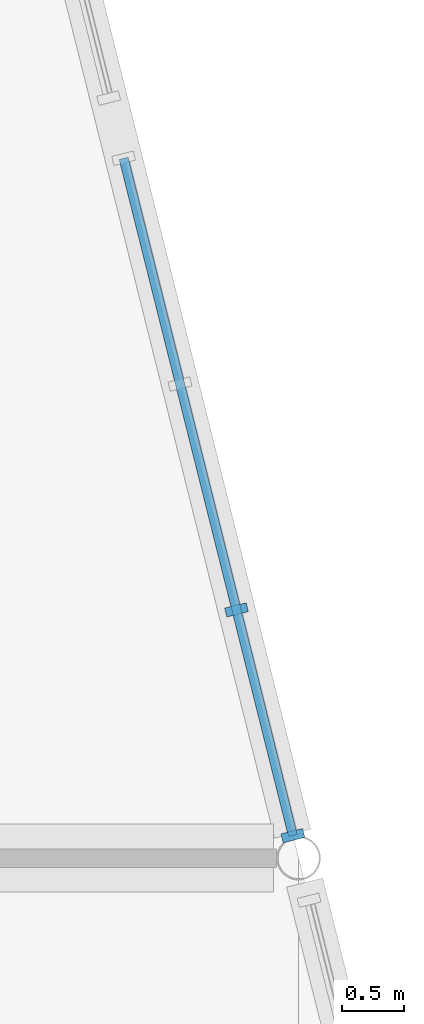
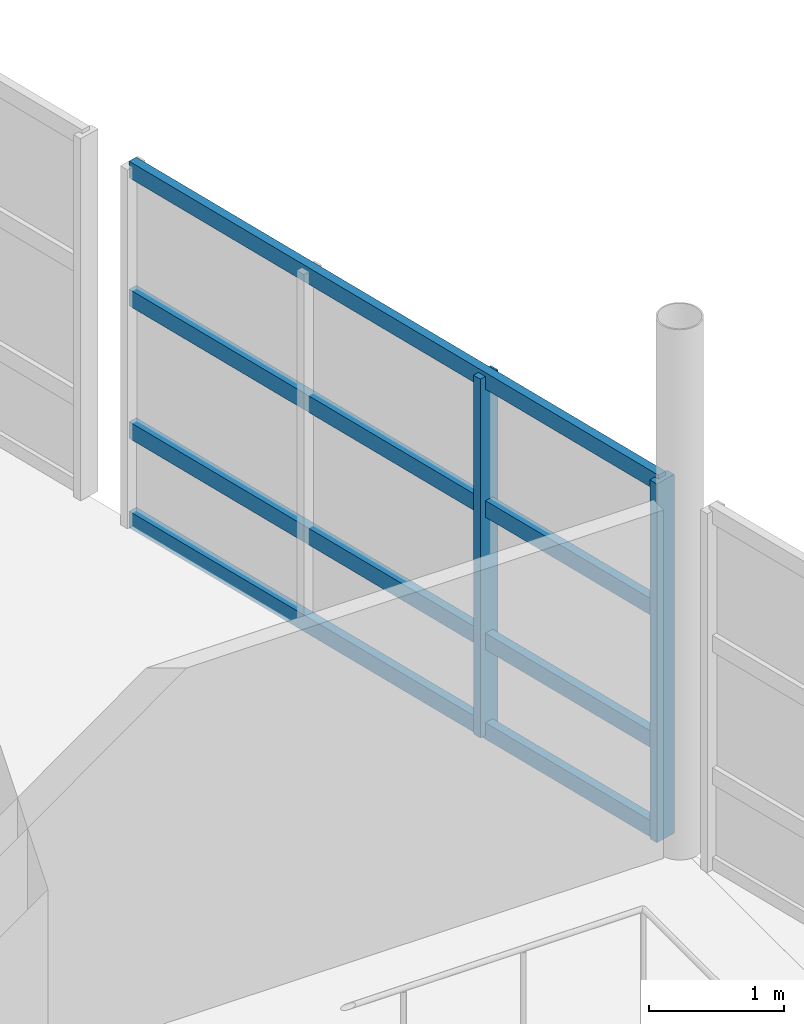
# One storey, part 39 of 112: 6 members, 1 element without a shape of its own.
"""IFC4 building model written with IfcOpenShell, lengths in metres."""

import ifcopenshell
import ifcopenshell.guid

model = None  # the IFC model being written
_history = None  # IfcOwnerHistory: only IFC2X3 demands one
_inside = {}  # id of a spatial element -> (the spatial element, [elements in it])
_under = {}  # id of a project, library or spatial element -> (it, [spatial elements below it])
_declared = {}  # id of a project -> (the project, [libraries it declares])
_typed = {}  # id of a type object -> (the type object, [elements of that type])
_made_of = {}  # id of a material, layer set ... -> (it, [elements and type objects made of it])


def new_model(schema):
    """Start an empty IFC model of exactly this schema.

    Asked for "IFC4X3", IfcOpenShell would pick the latest addendum, in which some entities
    have other attributes; the version numbers below select the first issue.
    IFC2X3 requires an IfcOwnerHistory on every rooted entity: one is made here for all.
    """
    global model, _history
    if schema == "IFC4X3":
        model = ifcopenshell.file(schema_version=(4, 3, 0, 0))
    else:
        model = ifcopenshell.file(schema=schema)
    _inside.clear()
    _under.clear()
    _declared.clear()
    _typed.clear()
    _made_of.clear()
    _history = None
    if model.schema == "IFC2X3":
        org = make("IfcOrganization", Name="unknown")
        user = make(
            "IfcPersonAndOrganization",
            ThePerson=make("IfcPerson", FamilyName="unknown"),
            TheOrganization=org,
        )
        app = make(
            "IfcApplication",
            ApplicationDeveloper=org,
            Version="unknown",
            ApplicationFullName="unknown",
            ApplicationIdentifier="unknown",
        )
        _history = make(
            "IfcOwnerHistory",
            OwningUser=user,
            OwningApplication=app,
            ChangeAction="ADDED",
            CreationDate=0,
        )
    return model


def make(cls, **values):
    """One entity of the class cls with the attributes given. An attribute that is None is left unset."""
    return model.create_entity(
        cls, **{name: value for name, value in values.items() if value is not None}
    )


def rooted(cls, **values):
    """An entity with a GlobalId (a new one), such as an element, a storey or a relation."""
    return make(cls, GlobalId=ifcopenshell.guid.new(), OwnerHistory=_history, **values)


def si_unit(unit_type, name, prefix=None):
    """IfcSIUnit, for example si_unit("LENGTHUNIT", "METRE", prefix="MILLI")."""
    return make("IfcSIUnit", UnitType=unit_type, Prefix=prefix, Name=name)


def assignment(units):
    """IfcUnitAssignment: the units of a project."""
    return None if units is None else make("IfcUnitAssignment", Units=units)


def point(xyz):
    """IfcCartesianPoint."""
    return None if xyz is None else make("IfcCartesianPoint", Coordinates=xyz)


def direction(xyz):
    """IfcDirection."""
    return None if xyz is None else make("IfcDirection", DirectionRatios=xyz)


def frame(location, z_axis=None, x_axis=None):
    """IfcAxis2Placement3D, a coordinate frame: its origin and axes. An axis left out is left unset."""
    return make(
        "IfcAxis2Placement3D",
        Location=point(location),
        Axis=direction(z_axis),
        RefDirection=direction(x_axis),
    )


def frame_2d(location, x_axis=None):
    """IfcAxis2Placement2D, a coordinate frame in the plane: its origin and x axis."""
    return make(
        "IfcAxis2Placement2D", Location=point(location), RefDirection=direction(x_axis)
    )


def origin():
    """The frame at (0, 0, 0) with its axes left unset."""
    return frame((0.0, 0.0, 0.0))


def origin_2d():
    """The frame at (0, 0) in the plane with its x axis left unset."""
    return frame_2d((0.0, 0.0))


def place(relative_to, where):
    """IfcLocalPlacement: puts the frame where relative to a parent placement (None: the world)."""
    return make(
        "IfcLocalPlacement", PlacementRelTo=relative_to, RelativePlacement=where
    )


def context(
    kind, dimensions, precision=None, world=None, true_north=None, identifier=None
):
    """IfcGeometricRepresentationContext, for example the 3D "Model" context."""
    return make(
        "IfcGeometricRepresentationContext",
        ContextIdentifier=identifier,
        ContextType=kind,
        CoordinateSpaceDimension=dimensions,
        Precision=precision,
        WorldCoordinateSystem=world,
        TrueNorth=true_north,
    )


def subcontext(parent, identifier, kind, view, scale=None):
    """IfcGeometricRepresentationSubContext, for example "Body" below "Model"."""
    return make(
        "IfcGeometricRepresentationSubContext",
        ContextIdentifier=identifier,
        ContextType=kind,
        ParentContext=parent,
        TargetScale=scale,
        TargetView=view,
    )


def project(units=None, contexts=None):
    """IfcProject with its units and contexts."""
    return rooted(
        "IfcProject",
        Name="project",
        RepresentationContexts=contexts,
        UnitsInContext=assignment(units),
    )


def spatial(cls, under=None, at=None, **own):
    """A site, building, storey or space (cls), placed at a placement, below another one or the project."""
    s = rooted(cls, ObjectPlacement=at, **own)
    if under is not None:
        _under.setdefault(under.id(), (under, []))[1].append(s)
    return s


def profile(cls, at=None, kind="AREA", **sizes):
    """A parametric profile (cls). Its sizes go by their IFC names, for example OverallWidth=200.0."""
    return make(cls, ProfileType=kind, Position=at, **sizes)


def rectangle(**sizes):
    """IfcRectangleProfileDef."""
    return profile("IfcRectangleProfileDef", **sizes)


def extrude(swept, where, along, depth):
    """IfcExtrudedAreaSolid: the profile swept, set in the frame where, extruded along a direction by depth."""
    return make(
        "IfcExtrudedAreaSolid",
        SweptArea=swept,
        Position=where,
        ExtrudedDirection=direction(along),
        Depth=depth,
    )


def shape(context_of_items, identifier, shape_type, items):
    """IfcShapeRepresentation: the items that make up one representation, for example the "Body"."""
    return make(
        "IfcShapeRepresentation",
        ContextOfItems=context_of_items,
        RepresentationIdentifier=identifier,
        RepresentationType=shape_type,
        Items=items,
    )


def material(Name=None, Category=None):
    """IfcMaterial."""
    return make("IfcMaterial", Name=Name, Category=Category)


def material_profile(
    of_material, cross_section, Name=None, Category=None, Priority=None
):
    """IfcMaterialProfile: a cross section and its material."""
    return make(
        "IfcMaterialProfile",
        Name=Name,
        Material=of_material,
        Profile=cross_section,
        Priority=Priority,
        Category=Category,
    )


def profile_set(profiles, Name=None, composite=None):
    """IfcMaterialProfileSet."""
    return make(
        "IfcMaterialProfileSet",
        Name=Name,
        MaterialProfiles=profiles,
        CompositeProfile=composite,
    )


def made_of(thing, what):
    """Note that an element or type object is made of a material, layer set ...; save() writes the relation."""
    if what is not None:
        _made_of.setdefault(what.id(), (what, []))[1].append(thing)
    return thing


def type_object(cls, material=None, **own):
    """A type object (cls), such as IfcWallType, which elements share."""
    return made_of(rooted(cls, **own), material)


def element(
    cls,
    number,
    at=None,
    inside=None,
    cuts=None,
    type_object=None,
    material=None,
    context=None,
    identifier="Body",
    shape_type=None,
    held_by="IfcProductDefinitionShape",
    body=None,
    shapes=None,
    **own,
):
    """One element of the class cls, such as IfcWall. Its Tag is "e" and its number.

    at: its placement. inside: the storey or other place that contains it. cuts: it is an
    opening in that element (IfcRelVoidsElement). A single representation is given by context,
    identifier, shape_type and body (its items); several are given by shapes. held_by: the class
    of the entity that holds the representations. save() writes the other relations.
    """
    e = rooted(cls, Tag="e%d" % number, ObjectPlacement=at, **own)
    if body is not None:
        shapes = [shape(context, identifier, shape_type, body)]
    if shapes is not None:
        e.Representation = make(held_by, Representations=shapes)
    if inside is not None:
        _inside.setdefault(inside.id(), (inside, []))[1].append(e)
    if cuts is not None:
        rooted(
            "IfcRelVoidsElement", RelatingBuildingElement=cuts, RelatedOpeningElement=e
        )
    if type_object is not None:
        _typed.setdefault(type_object.id(), (type_object, []))[1].append(e)
    return made_of(e, material)


def aggregate(whole, parts):
    """IfcRelAggregates: a whole, such as a stair, and the parts it consists of."""
    return rooted("IfcRelAggregates", RelatingObject=whole, RelatedObjects=parts)


def save(model, path):
    """Write the relations noted so far, then the file.

    IfcRelAggregates (storeys below a building ...), IfcRelContainedInSpatialStructure (elements
    in a storey), IfcRelDefinesByType, IfcRelAssociatesMaterial and IfcRelDeclares: one each for
    every whole, place, type object, material and project.
    """
    for whole, parts in _under.values():
        aggregate(whole, parts)
    for where, things in _inside.values():
        rooted(
            "IfcRelContainedInSpatialStructure",
            RelatedElements=things,
            RelatingStructure=where,
        )
    for kind, things in _typed.values():
        rooted("IfcRelDefinesByType", RelatedObjects=things, RelatingType=kind)
    for what, things in _made_of.values():
        rooted("IfcRelAssociatesMaterial", RelatedObjects=things, RelatingMaterial=what)
    for by, libraries in _declared.values():
        rooted("IfcRelDeclares", RelatingContext=by, RelatedDefinitions=libraries)
    model.write(path)


model = new_model("IFC4")

# Units and contexts
model_context = context("Model", 3, precision=1e-05, world=origin(), true_north=direction((0.0, 1.0)))
body_context = subcontext(model_context, "Body", "Model", "MODEL_VIEW")
ifc_project = project(units=[si_unit("LENGTHUNIT", "METRE"), si_unit("AREAUNIT", "SQUARE_METRE"), si_unit("VOLUMEUNIT", "CUBIC_METRE"), si_unit("PLANEANGLEUNIT", "RADIAN"), si_unit("MASSUNIT", "GRAM", prefix="KILO")], contexts=[model_context])

# Site, building, storey
site_placement = place(None, origin())
site = spatial("IfcSite", under=ifc_project, at=site_placement, CompositionType="ELEMENT")
building_placement = place(site_placement, origin())
building = spatial("IfcBuilding", under=site, at=building_placement, Name="Kamomehara Wholesale Market", CompositionType="ELEMENT")
storey_placement = place(building_placement, frame((0.0, 0.0, 6.60009765625)))
storey = spatial("IfcBuildingStorey", under=building, at=storey_placement, Name="L01", CompositionType="ELEMENT", Elevation=6.60009765625)

# Curtain wall, members
ifc_material_1 = material(Name="Anodised aluminium 6063-T5", Category="aluminium")
curtain_wall_type = type_object("IfcCurtainWallType", Name="CW-UN-09", PredefinedType="NOTDEFINED", material=ifc_material_1)
curtain_wall_placement = place(storey_placement, origin())
curtain_wall = element("IfcCurtainWall", 1, at=curtain_wall_placement, inside=storey, type_object=curtain_wall_type, Name="Unitised curtain wall CW-186", PredefinedType="NOTDEFINED")
ifc_material_2 = material(Name="Anodised aluminium 6063-T5", Category="aluminium")
ifc_material_profile_1 = material_profile(ifc_material_2, rectangle(XDim=0.074951171875, YDim=0.179931640625, at=origin_2d()), Name="ALU-MUL-75x180")
ifc_profile_set_1 = profile_set([ifc_material_profile_1], Name="Anodised aluminium 6063-T5")
member_type_1 = type_object("IfcMemberType", Name="CW-MUL-180", PredefinedType="MULLION", material=ifc_profile_set_1)
member_1_placement = place(storey_placement, frame((191.498046875, 74.008056640625, 0.0), z_axis=(0.0, 0.0, 1.0), x_axis=(0.242451920441, -0.970163422458, 0.0)))
member_1 = element("IfcMember", 2, at=member_1_placement, type_object=member_type_1, Name="Mullion CW-186.2", PredefinedType="MULLION", context=body_context, shape_type="SweptSolid", body=[
    extrude(rectangle(XDim=0.074951171875, YDim=0.179931640625, at=origin_2d()), origin(), (0.0, 0.0, 1.0), 3.247802734375),
])
member_2_placement = place(storey_placement, frame((191.9541015625, 72.181884765625, 0.0), z_axis=(0.0, 0.0, 1.0), x_axis=(0.242451920441, -0.970163422458, 0.0)))
member_2 = element("IfcMember", 3, at=member_2_placement, type_object=member_type_1, Name="Mullion CW-186.3", PredefinedType="MULLION", context=body_context, shape_type="SweptSolid", body=[
    extrude(rectangle(XDim=0.074951171875, YDim=0.179931640625, at=origin_2d()), origin(), (0.0, 0.0, 1.0), 3.247802734375),
])
ifc_material_3 = material(Name="Anodised aluminium 6063-T5", Category="aluminium")
ifc_material_profile_2 = material_profile(ifc_material_3, rectangle(XDim=0.074951171875, YDim=0.14990234375, at=origin_2d()), Name="ALU-TRN-75x150")
ifc_profile_set_2 = profile_set([ifc_material_profile_2], Name="Anodised aluminium 6063-T5")
member_type_2 = type_object("IfcMemberType", Name="CW-TRN-150", PredefinedType="USERDEFINED", material=ifc_profile_set_2)
member_3_placement = place(storey_placement, frame((190.5849609375, 77.659912109375, 0.039794921875), z_axis=(0.242474583711, -0.970157758436, 0.0), x_axis=(0.970157758436, 0.242474583711, 0.0)))
member_3 = element("IfcMember", 4, at=member_3_placement, type_object=member_type_2, Name="Transom CW-186.0", ObjectType="TRANSOM", PredefinedType="USERDEFINED", context=body_context, shape_type="SweptSolid", body=[
    extrude(rectangle(XDim=0.074951171875, YDim=0.14990234375, at=origin_2d()), origin(), (0.0, 0.0, 1.0), 5.646484375),
])
member_4_placement = place(storey_placement, frame((190.5849609375, 77.659912109375, 0.849853515625), z_axis=(0.242474583711, -0.970157758436, 0.0), x_axis=(0.970157758436, 0.242474583711, 0.0)))
member_4 = element("IfcMember", 5, at=member_4_placement, type_object=member_type_2, Name="Transom CW-186.1", ObjectType="TRANSOM", PredefinedType="USERDEFINED", context=body_context, shape_type="SweptSolid", body=[
    extrude(rectangle(XDim=0.074951171875, YDim=0.14990234375, at=origin_2d()), origin(), (0.0, 0.0, 1.0), 5.646484375),
])
member_5_placement = place(storey_placement, frame((190.5849609375, 77.659912109375, 2.048828125), z_axis=(0.242474583711, -0.970157758436, 0.0), x_axis=(0.970157758436, 0.242474583711, 0.0)))
member_5 = element("IfcMember", 6, at=member_5_placement, type_object=member_type_2, Name="Transom CW-186.2", ObjectType="TRANSOM", PredefinedType="USERDEFINED", context=body_context, shape_type="SweptSolid", body=[
    extrude(rectangle(XDim=0.074951171875, YDim=0.14990234375, at=origin_2d()), origin(), (0.0, 0.0, 1.0), 5.646484375),
])
member_6_placement = place(storey_placement, frame((190.5849609375, 77.659912109375, 3.2080078125), z_axis=(0.242474583711, -0.970157758436, 0.0), x_axis=(0.970157758436, 0.242474583711, 0.0)))
member_6 = element("IfcMember", 7, at=member_6_placement, type_object=member_type_2, Name="Transom CW-186.3", ObjectType="TRANSOM", PredefinedType="USERDEFINED", context=body_context, shape_type="SweptSolid", body=[
    extrude(rectangle(XDim=0.074951171875, YDim=0.14990234375, at=origin_2d()), origin(), (0.0, 0.0, 1.0), 5.646484375),
])
aggregate(curtain_wall, [member_1, member_2, member_3, member_4, member_5, member_6])

save(model, "model.ifc")
